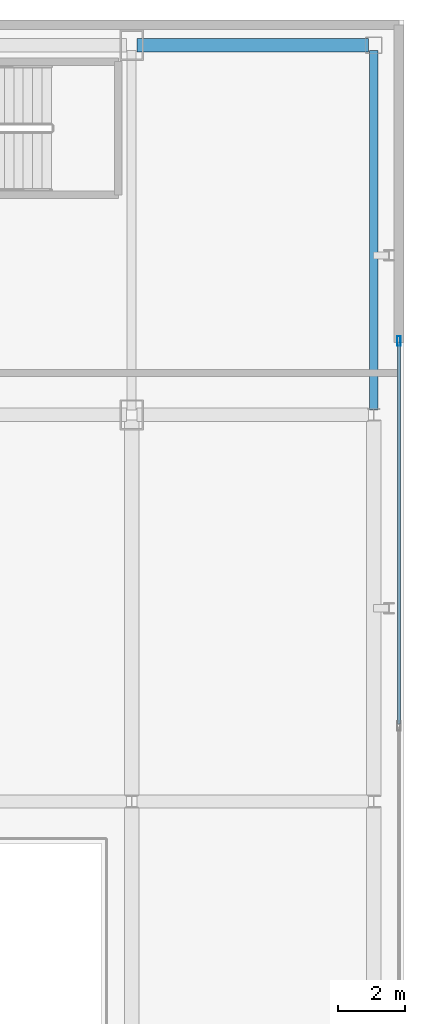
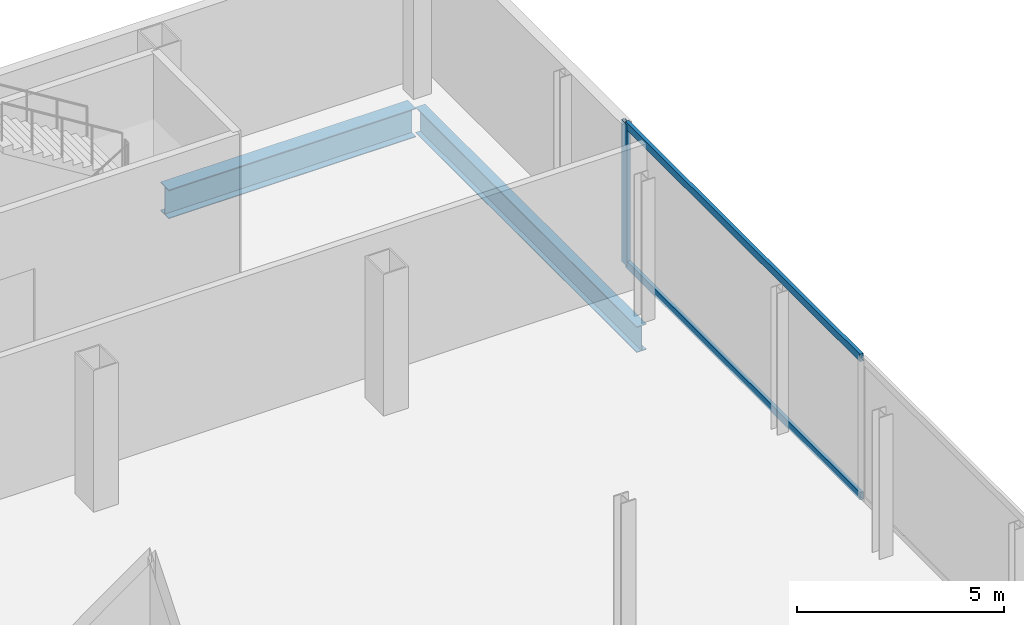
# One storey, part 17 of 26: 3 members, 2 beams, 1 element without a shape of its own.
"""IFC4 building model written with IfcOpenShell, lengths in metres."""

from ifc_helpers import new_model, si_unit, direction, frame, origin, origin_2d, place, context, subcontext, project, spatial, hollow_rectangle, i_section, extrude, source, transform, mapped, material, layer, layer_set, material_profile, profile_set, type_object, element, aggregate, save


model = new_model("IFC4")

# Units and contexts
model_context = context("Model", 3, precision=1e-05, world=origin(), true_north=direction((0.0, 1.0)))
body_context = subcontext(model_context, "Body", "Model", "MODEL_VIEW")
ifc_project = project(units=[si_unit("LENGTHUNIT", "METRE"), si_unit("AREAUNIT", "SQUARE_METRE"), si_unit("VOLUMEUNIT", "CUBIC_METRE"), si_unit("PLANEANGLEUNIT", "RADIAN"), si_unit("MASSUNIT", "GRAM", prefix="KILO")], contexts=[model_context])

# Site, building, storey
site_placement = place(None, origin())
site = spatial("IfcSite", under=ifc_project, at=site_placement, CompositionType="ELEMENT")
building_placement = place(site_placement, origin())
building = spatial("IfcBuilding", under=site, at=building_placement, Name="Kolveth Station Tower", CompositionType="ELEMENT")
storey_placement = place(building_placement, frame((0.0, 0.0, 4.5)))
storey = spatial("IfcBuildingStorey", under=building, at=storey_placement, Name="L01", CompositionType="ELEMENT", Elevation=4.5)

# Beams
ifc_material_1 = material(Name="Steel S355", Category="steel")
ifc_material_profile_1 = material_profile(ifc_material_1, i_section(OverallWidth=0.40087890625, OverallDepth=0.85107421875, WebThickness=0.01611328125, FlangeThickness=0.025390625, at=origin_2d()), Name="W840x226")
ifc_profile_set_1 = profile_set([ifc_material_profile_1], Name="Steel S355")
beam_type_1 = type_object("IfcBeamType", Name="Beam_B2", PredefinedType="BEAM", material=ifc_profile_set_1)
shared_shape_1 = source(origin(), body_context, "Body", "SweptSolid", [
    extrude(i_section(OverallWidth=0.40087890625, OverallDepth=0.85107421875, WebThickness=0.01611328125, FlangeThickness=0.025390625, at=origin_2d()), origin(), (0.0, 0.0, 1.0), 6.900146484375),
])
beam_1_placement = place(storey_placement, frame((63.64990234375, 39.75, -0.74560546875), z_axis=(1.0, 0.0, 0.0), x_axis=(0.0, 1.0, 0.0)))
element("IfcBeam", 1, at=beam_1_placement, inside=storey, type_object=beam_type_1, Name="L01 Station Portal Girder SBM-L01-EW-6-3", PredefinedType="BEAM", context=body_context, shape_type="MappedRepresentation", body=[
    mapped(shared_shape_1, transform((0.0, 0.0, 0.0), x_axis=(1.0, 0.0, 0.0), y_axis=(0.0, 1.0, 0.0), z_axis=(0.0, 0.0, 1.0), scale=1.0)),
])
ifc_material_profile_2 = material_profile(ifc_material_1, i_section(OverallWidth=0.26708984375, OverallDepth=0.76611328125, WebThickness=0.014892578125, FlangeThickness=0.023681640625, at=origin_2d()), Name="W760x185")
ifc_profile_set_2 = profile_set([ifc_material_profile_2], Name="Steel S355")
beam_type_2 = type_object("IfcBeamType", Name="Beam_B3", PredefinedType="BEAM", material=ifc_profile_set_2)
shared_shape_2 = source(origin(), body_context, "Body", "SweptSolid", [
    extrude(i_section(OverallWidth=0.26708984375, OverallDepth=0.76611328125, WebThickness=0.014892578125, FlangeThickness=0.023681640625, at=origin_2d()), origin(), (0.0, 0.0, 1.0), 10.7001953125),
])
beam_2_placement = place(storey_placement, frame((70.699951171875, 28.89990234375, -0.702880859375), z_axis=(0.0, 1.0, 0.0), x_axis=(-1.0, 0.0, 0.0)))
element("IfcBeam", 2, at=beam_2_placement, inside=storey, type_object=beam_type_2, Name="L01 Station Spine Girder SBM-L01-NS-4-5", PredefinedType="BEAM", context=body_context, shape_type="MappedRepresentation", body=[
    mapped(shared_shape_2, transform((0.0, 0.0, 0.0), x_axis=(1.0, 0.0, 0.0), y_axis=(0.0, 1.0, 0.0), z_axis=(0.0, 0.0, 1.0), scale=1.0)),
])

# Curtain wall, members
ifc_material_2 = material(Name="Black anodized aluminium 6063-T6 and clear station glass", Category="aluminium")
ifc_layer = layer(ifc_material_2, 0.239990234375)
ifc_layer_set = layer_set([ifc_layer], Name="Black anodized aluminium 6063-T6 and clear station glass")
curtain_wall_type = type_object("IfcCurtainWallType", Name="CurtainWall_CW-ST", PredefinedType="NOTDEFINED", material=ifc_layer_set)
curtain_wall_placement = place(storey_placement, origin())
curtain_wall = element("IfcCurtainWall", 3, at=curtain_wall_placement, inside=storey, type_object=curtain_wall_type, Name="L01 Station East Main Hall Curtain Wall", PredefinedType="NOTDEFINED")
ifc_material_3 = material(Name="Black anodized aluminium 6063-T6", Category="aluminium")
ifc_material_profile_3 = material_profile(ifc_material_3, hollow_rectangle(XDim=0.10009765625, YDim=0.280029296875, WallThickness=0.0048828125, at=origin_2d()), Name="ALU-100x280x5")
ifc_profile_set_3 = profile_set([ifc_material_profile_3], Name="Black anodized aluminium 6063-T6")
member_type_1 = type_object("IfcMemberType", Name="Mullion_ML-ST", PredefinedType="MULLION", material=ifc_profile_set_3)
shared_shape_3 = source(origin(), body_context, "Body", "SweptSolid", [
    extrude(hollow_rectangle(XDim=0.10009765625, YDim=0.280029296875, WallThickness=0.0048828125, at=origin_2d()), origin(), (0.0, 0.0, 1.0), 4.179931640625),
])
member_1_placement = place(storey_placement, frame((71.449951171875, 30.949951171875, 0.0), z_axis=(0.0, 0.0, 1.0), x_axis=(-1.0, 0.0, 0.0)))
member_1 = element("IfcMember", 4, at=member_1_placement, type_object=member_type_1, Name="CW-ST mullion 3", PredefinedType="MULLION", context=body_context, shape_type="MappedRepresentation", body=[
    mapped(shared_shape_3, transform((0.0, 0.0, 0.0), x_axis=(1.0, 0.0, 0.0), y_axis=(0.0, 1.0, 0.0), z_axis=(0.0, 0.0, 1.0), scale=1.0)),
])
ifc_material_profile_4 = material_profile(ifc_material_3, hollow_rectangle(XDim=0.094970703125, YDim=0.219970703125, WallThickness=0.0048828125, at=origin_2d()), Name="ALU-95x220x5")
ifc_profile_set_4 = profile_set([ifc_material_profile_4], Name="Black anodized aluminium 6063-T6")
member_type_2 = type_object("IfcMemberType", Name="Transom_TR-ST", PredefinedType="USERDEFINED", material=ifc_profile_set_4)
shared_shape_4 = source(origin(), body_context, "Body", "SweptSolid", [
    extrude(hollow_rectangle(XDim=0.094970703125, YDim=0.219970703125, WallThickness=0.0048828125, at=origin_2d()), origin(), (0.0, 0.0, 1.0), 11.349853515625),
])
member_2_placement = place(storey_placement, frame((71.449951171875, 19.550048828125, 0.047607421875), z_axis=(0.0, 1.0, 0.0), x_axis=(-1.0, 0.0, 0.0)))
member_2 = element("IfcMember", 5, at=member_2_placement, type_object=member_type_2, Name="CW-ST transom 2.1", ObjectType="TRANSOM", PredefinedType="USERDEFINED", context=body_context, shape_type="MappedRepresentation", body=[
    mapped(shared_shape_4, transform((0.0, 0.0, 0.0), x_axis=(1.0, 0.0, 0.0), y_axis=(0.0, 1.0, 0.0), z_axis=(0.0, 0.0, 1.0), scale=1.0)),
])
member_3_placement = place(storey_placement, frame((71.449951171875, 19.550048828125, 4.132568359375), z_axis=(0.0, 1.0, 0.0), x_axis=(-1.0, 0.0, 0.0)))
member_3 = element("IfcMember", 6, at=member_3_placement, type_object=member_type_2, Name="CW-ST transom 2.2", ObjectType="TRANSOM", PredefinedType="USERDEFINED", context=body_context, shape_type="MappedRepresentation", body=[
    mapped(shared_shape_4, transform((0.0, 0.0, 0.0), x_axis=(1.0, 0.0, 0.0), y_axis=(0.0, 1.0, 0.0), z_axis=(0.0, 0.0, 1.0), scale=1.0)),
])
aggregate(curtain_wall, [member_1, member_2, member_3])

save(model, "model.ifc")
